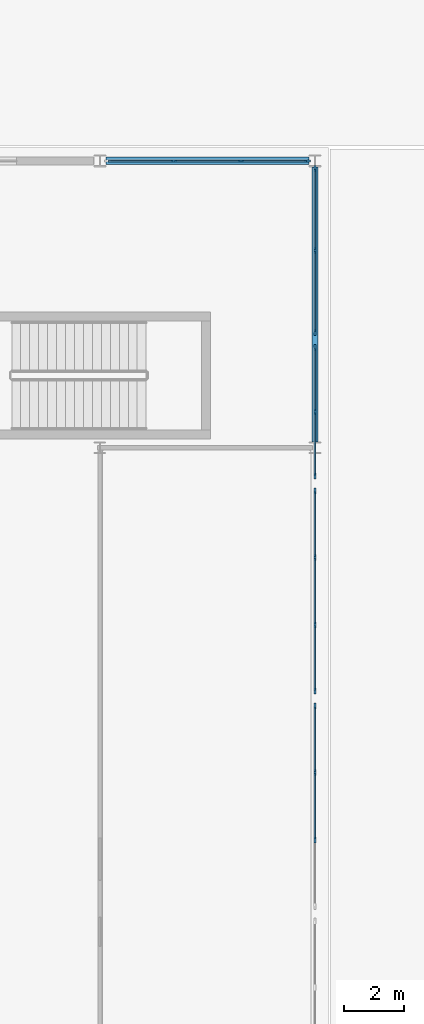
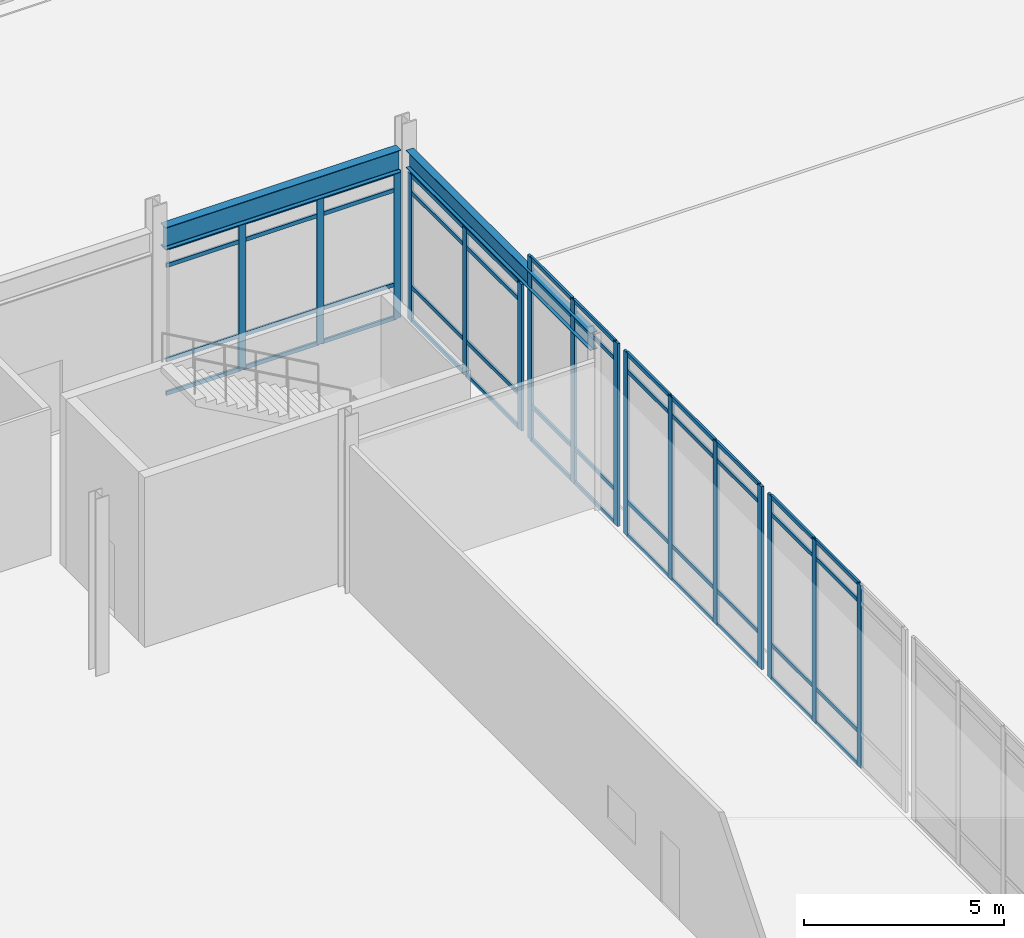
# One storey, part 27 of 104: 64 members, 2 beams, 5 elements without a shape of their own.
"""IFC4 building model written with IfcOpenShell, lengths in metres."""

import ifcopenshell
import ifcopenshell.guid

model = None  # the IFC model being written
_history = None  # IfcOwnerHistory: only IFC2X3 demands one
_inside = {}  # id of a spatial element -> (the spatial element, [elements in it])
_under = {}  # id of a project, library or spatial element -> (it, [spatial elements below it])
_declared = {}  # id of a project -> (the project, [libraries it declares])
_typed = {}  # id of a type object -> (the type object, [elements of that type])
_made_of = {}  # id of a material, layer set ... -> (it, [elements and type objects made of it])


def new_model(schema):
    """Start an empty IFC model of exactly this schema.

    Asked for "IFC4X3", IfcOpenShell would pick the latest addendum, in which some entities
    have other attributes; the version numbers below select the first issue.
    IFC2X3 requires an IfcOwnerHistory on every rooted entity: one is made here for all.
    """
    global model, _history
    if schema == "IFC4X3":
        model = ifcopenshell.file(schema_version=(4, 3, 0, 0))
    else:
        model = ifcopenshell.file(schema=schema)
    _inside.clear()
    _under.clear()
    _declared.clear()
    _typed.clear()
    _made_of.clear()
    _history = None
    if model.schema == "IFC2X3":
        org = make("IfcOrganization", Name="unknown")
        user = make(
            "IfcPersonAndOrganization",
            ThePerson=make("IfcPerson", FamilyName="unknown"),
            TheOrganization=org,
        )
        app = make(
            "IfcApplication",
            ApplicationDeveloper=org,
            Version="unknown",
            ApplicationFullName="unknown",
            ApplicationIdentifier="unknown",
        )
        _history = make(
            "IfcOwnerHistory",
            OwningUser=user,
            OwningApplication=app,
            ChangeAction="ADDED",
            CreationDate=0,
        )
    return model


def make(cls, **values):
    """One entity of the class cls with the attributes given. An attribute that is None is left unset."""
    return model.create_entity(
        cls, **{name: value for name, value in values.items() if value is not None}
    )


def rooted(cls, **values):
    """An entity with a GlobalId (a new one), such as an element, a storey or a relation."""
    return make(cls, GlobalId=ifcopenshell.guid.new(), OwnerHistory=_history, **values)


def si_unit(unit_type, name, prefix=None):
    """IfcSIUnit, for example si_unit("LENGTHUNIT", "METRE", prefix="MILLI")."""
    return make("IfcSIUnit", UnitType=unit_type, Prefix=prefix, Name=name)


def assignment(units):
    """IfcUnitAssignment: the units of a project."""
    return None if units is None else make("IfcUnitAssignment", Units=units)


def point(xyz):
    """IfcCartesianPoint."""
    return None if xyz is None else make("IfcCartesianPoint", Coordinates=xyz)


def direction(xyz):
    """IfcDirection."""
    return None if xyz is None else make("IfcDirection", DirectionRatios=xyz)


def frame(location, z_axis=None, x_axis=None):
    """IfcAxis2Placement3D, a coordinate frame: its origin and axes. An axis left out is left unset."""
    return make(
        "IfcAxis2Placement3D",
        Location=point(location),
        Axis=direction(z_axis),
        RefDirection=direction(x_axis),
    )


def frame_2d(location, x_axis=None):
    """IfcAxis2Placement2D, a coordinate frame in the plane: its origin and x axis."""
    return make(
        "IfcAxis2Placement2D", Location=point(location), RefDirection=direction(x_axis)
    )


def origin():
    """The frame at (0, 0, 0) with its axes left unset."""
    return frame((0.0, 0.0, 0.0))


def origin_2d():
    """The frame at (0, 0) in the plane with its x axis left unset."""
    return frame_2d((0.0, 0.0))


def place(relative_to, where):
    """IfcLocalPlacement: puts the frame where relative to a parent placement (None: the world)."""
    return make(
        "IfcLocalPlacement", PlacementRelTo=relative_to, RelativePlacement=where
    )


def context(
    kind, dimensions, precision=None, world=None, true_north=None, identifier=None
):
    """IfcGeometricRepresentationContext, for example the 3D "Model" context."""
    return make(
        "IfcGeometricRepresentationContext",
        ContextIdentifier=identifier,
        ContextType=kind,
        CoordinateSpaceDimension=dimensions,
        Precision=precision,
        WorldCoordinateSystem=world,
        TrueNorth=true_north,
    )


def subcontext(parent, identifier, kind, view, scale=None):
    """IfcGeometricRepresentationSubContext, for example "Body" below "Model"."""
    return make(
        "IfcGeometricRepresentationSubContext",
        ContextIdentifier=identifier,
        ContextType=kind,
        ParentContext=parent,
        TargetScale=scale,
        TargetView=view,
    )


def project(units=None, contexts=None):
    """IfcProject with its units and contexts."""
    return rooted(
        "IfcProject",
        Name="project",
        RepresentationContexts=contexts,
        UnitsInContext=assignment(units),
    )


def spatial(cls, under=None, at=None, **own):
    """A site, building, storey or space (cls), placed at a placement, below another one or the project."""
    s = rooted(cls, ObjectPlacement=at, **own)
    if under is not None:
        _under.setdefault(under.id(), (under, []))[1].append(s)
    return s


def profile(cls, at=None, kind="AREA", **sizes):
    """A parametric profile (cls). Its sizes go by their IFC names, for example OverallWidth=200.0."""
    return make(cls, ProfileType=kind, Position=at, **sizes)


def rectangle(**sizes):
    """IfcRectangleProfileDef."""
    return profile("IfcRectangleProfileDef", **sizes)


def i_section(**sizes):
    """IfcIShapeProfileDef."""
    return profile("IfcIShapeProfileDef", **sizes)


def extrude(swept, where, along, depth):
    """IfcExtrudedAreaSolid: the profile swept, set in the frame where, extruded along a direction by depth."""
    return make(
        "IfcExtrudedAreaSolid",
        SweptArea=swept,
        Position=where,
        ExtrudedDirection=direction(along),
        Depth=depth,
    )


def shape(context_of_items, identifier, shape_type, items):
    """IfcShapeRepresentation: the items that make up one representation, for example the "Body"."""
    return make(
        "IfcShapeRepresentation",
        ContextOfItems=context_of_items,
        RepresentationIdentifier=identifier,
        RepresentationType=shape_type,
        Items=items,
    )


def material(Name=None, Category=None):
    """IfcMaterial."""
    return make("IfcMaterial", Name=Name, Category=Category)


def material_profile(
    of_material, cross_section, Name=None, Category=None, Priority=None
):
    """IfcMaterialProfile: a cross section and its material."""
    return make(
        "IfcMaterialProfile",
        Name=Name,
        Material=of_material,
        Profile=cross_section,
        Priority=Priority,
        Category=Category,
    )


def profile_set(profiles, Name=None, composite=None):
    """IfcMaterialProfileSet."""
    return make(
        "IfcMaterialProfileSet",
        Name=Name,
        MaterialProfiles=profiles,
        CompositeProfile=composite,
    )


def made_of(thing, what):
    """Note that an element or type object is made of a material, layer set ...; save() writes the relation."""
    if what is not None:
        _made_of.setdefault(what.id(), (what, []))[1].append(thing)
    return thing


def type_object(cls, material=None, **own):
    """A type object (cls), such as IfcWallType, which elements share."""
    return made_of(rooted(cls, **own), material)


def element(
    cls,
    number,
    at=None,
    inside=None,
    cuts=None,
    type_object=None,
    material=None,
    context=None,
    identifier="Body",
    shape_type=None,
    held_by="IfcProductDefinitionShape",
    body=None,
    shapes=None,
    **own,
):
    """One element of the class cls, such as IfcWall. Its Tag is "e" and its number.

    at: its placement. inside: the storey or other place that contains it. cuts: it is an
    opening in that element (IfcRelVoidsElement). A single representation is given by context,
    identifier, shape_type and body (its items); several are given by shapes. held_by: the class
    of the entity that holds the representations. save() writes the other relations.
    """
    e = rooted(cls, Tag="e%d" % number, ObjectPlacement=at, **own)
    if body is not None:
        shapes = [shape(context, identifier, shape_type, body)]
    if shapes is not None:
        e.Representation = make(held_by, Representations=shapes)
    if inside is not None:
        _inside.setdefault(inside.id(), (inside, []))[1].append(e)
    if cuts is not None:
        rooted(
            "IfcRelVoidsElement", RelatingBuildingElement=cuts, RelatedOpeningElement=e
        )
    if type_object is not None:
        _typed.setdefault(type_object.id(), (type_object, []))[1].append(e)
    return made_of(e, material)


def aggregate(whole, parts):
    """IfcRelAggregates: a whole, such as a stair, and the parts it consists of."""
    return rooted("IfcRelAggregates", RelatingObject=whole, RelatedObjects=parts)


def save(model, path):
    """Write the relations noted so far, then the file.

    IfcRelAggregates (storeys below a building ...), IfcRelContainedInSpatialStructure (elements
    in a storey), IfcRelDefinesByType, IfcRelAssociatesMaterial and IfcRelDeclares: one each for
    every whole, place, type object, material and project.
    """
    for whole, parts in _under.values():
        aggregate(whole, parts)
    for where, things in _inside.values():
        rooted(
            "IfcRelContainedInSpatialStructure",
            RelatedElements=things,
            RelatingStructure=where,
        )
    for kind, things in _typed.values():
        rooted("IfcRelDefinesByType", RelatedObjects=things, RelatingType=kind)
    for what, things in _made_of.values():
        rooted("IfcRelAssociatesMaterial", RelatedObjects=things, RelatingMaterial=what)
    for by, libraries in _declared.values():
        rooted("IfcRelDeclares", RelatingContext=by, RelatedDefinitions=libraries)
    model.write(path)


model = new_model("IFC4")

# Units and contexts
model_context = context("Model", 3, precision=1e-05, world=origin(), true_north=direction((0.0, 1.0)))
body_context = subcontext(model_context, "Body", "Model", "MODEL_VIEW")
ifc_project = project(units=[si_unit("LENGTHUNIT", "METRE"), si_unit("AREAUNIT", "SQUARE_METRE"), si_unit("VOLUMEUNIT", "CUBIC_METRE"), si_unit("PLANEANGLEUNIT", "RADIAN"), si_unit("MASSUNIT", "GRAM", prefix="KILO")], contexts=[model_context])

# Site, building, storey
site_placement = place(None, origin())
site = spatial("IfcSite", under=ifc_project, at=site_placement, CompositionType="ELEMENT")
building_placement = place(site_placement, origin())
building = spatial("IfcBuilding", under=site, at=building_placement, Name="Vaelcorin Mobility Hub", CompositionType="ELEMENT")
storey_placement = place(building_placement, origin())
storey = spatial("IfcBuildingStorey", under=building, at=storey_placement, Name="L00", CompositionType="ELEMENT", Elevation=0.0)

# Beams
ifc_material_1 = material(Name="Steel ASTM A992 Grade 50", Category="steel")
ifc_material_profile_1 = material_profile(ifc_material_1, i_section(OverallWidth=0.2099609375, OverallDepth=0.535888671875, WebThickness=0.010986328125, FlangeThickness=0.017333984375, FilletRadius=0.013916015625, at=origin_2d()), Name="W21X68")
ifc_profile_set_1 = profile_set([ifc_material_profile_1], Name="Steel ASTM A992 Grade 50")
beam_type_1 = type_object("IfcBeamType", Name="BM-W21X68", PredefinedType="SPANDREL", material=ifc_profile_set_1)
beam_1_placement = place(storey_placement, frame((108.0, 50.583984375, 4.912109375), z_axis=(0.0, 1.0, 0.0), x_axis=(-1.0, 0.0, 0.0)))
element("IfcBeam", 1, at=beam_1_placement, inside=storey, type_object=beam_type_1, Name="L00 Beam V1-L00-GY-11-01", PredefinedType="SPANDREL", context=body_context, shape_type="SweptSolid", body=[
    extrude(i_section(OverallWidth=0.2099609375, OverallDepth=0.535888671875, WebThickness=0.010986328125, FlangeThickness=0.017333984375, FilletRadius=0.013916015625, at=origin_2d()), origin(), (0.0, 0.0, 1.0), 9.215087890625),
])
ifc_material_profile_2 = material_profile(ifc_material_1, i_section(OverallWidth=0.25390625, OverallDepth=0.68310546875, WebThickness=0.012451171875, FlangeThickness=0.018798828125, FilletRadius=0.01611328125, at=origin_2d()), Name="W27X94")
ifc_profile_set_2 = profile_set([ifc_material_profile_2], Name="Steel ASTM A992 Grade 50")
beam_type_2 = type_object("IfcBeamType", Name="BM-W27X94", PredefinedType="BEAM", material=ifc_profile_set_2)
beam_2_placement = place(storey_placement, frame((101.0, 60.0, 4.837890625), z_axis=(1.0, 0.0, 0.0), x_axis=(0.0, 1.0, 0.0)))
element("IfcBeam", 2, at=beam_2_placement, inside=storey, type_object=beam_type_2, Name="L00 Beam V1-L00-GX-02-10", PredefinedType="BEAM", context=body_context, shape_type="SweptSolid", body=[
    extrude(i_section(OverallWidth=0.25390625, OverallDepth=0.68310546875, WebThickness=0.012451171875, FlangeThickness=0.018798828125, FilletRadius=0.01611328125, at=origin_2d()), origin(), (0.0, 0.0, 1.0), 6.800048828125),
])

# Curtain wall, members
ifc_material_2 = material(Name="Anodised aluminium 6063-T6", Category="aluminium")
curtain_wall_type = type_object("IfcCurtainWallType", Name="CW-CONC-B", PredefinedType="NOTDEFINED", material=ifc_material_2)
curtain_wall_1_placement = place(storey_placement, origin())
curtain_wall_1 = element("IfcCurtainWall", 3, at=curtain_wall_1_placement, inside=storey, type_object=curtain_wall_type, Name="L00 Curtain Wall CW-V1-N-10", PredefinedType="NOTDEFINED")
ifc_material_profile_3 = material_profile(ifc_material_2, rectangle(XDim=0.070068359375, YDim=0.199951171875, at=origin_2d()), Name="ALU-M70X200")
ifc_profile_set_3 = profile_set([ifc_material_profile_3], Name="Anodised aluminium 6063-T6")
member_type_1 = type_object("IfcMemberType", Name="CW-MULL-200", PredefinedType="MULLION", material=ifc_profile_set_3)
member_1_placement = place(storey_placement, frame((103.2734375, 60.0, 0.0), z_axis=(0.0, 0.0, 1.0), x_axis=(0.0, 1.0, 0.0)))
member_1 = element("IfcMember", 4, at=member_1_placement, type_object=member_type_1, Name="CW2 mullion 2", PredefinedType="MULLION", context=body_context, shape_type="SweptSolid", body=[
    extrude(rectangle(XDim=0.070068359375, YDim=0.199951171875, at=origin_2d()), origin(), (0.0, 0.0, 1.0), 4.48193359375),
])
member_2_placement = place(storey_placement, frame((105.526611328125, 60.0, 0.0), z_axis=(0.0, 0.0, 1.0), x_axis=(0.0, 1.0, 0.0)))
member_2 = element("IfcMember", 5, at=member_2_placement, type_object=member_type_1, Name="CW2 mullion 3", PredefinedType="MULLION", context=body_context, shape_type="SweptSolid", body=[
    extrude(rectangle(XDim=0.070068359375, YDim=0.199951171875, at=origin_2d()), origin(), (0.0, 0.0, 1.0), 4.48193359375),
])
member_3_placement = place(storey_placement, frame((107.75, 60.0, 0.0), z_axis=(0.0, 0.0, 1.0), x_axis=(0.0, 1.0, 0.0)))
member_3 = element("IfcMember", 6, at=member_3_placement, type_object=member_type_1, Name="CW2 mullion 4", PredefinedType="MULLION", context=body_context, shape_type="SweptSolid", body=[
    extrude(rectangle(XDim=0.070068359375, YDim=0.199951171875, at=origin_2d()), origin(), (0.0, 0.0, 1.0), 4.48193359375),
])

curtain_wall_2_placement = place(storey_placement, origin())
curtain_wall_2 = element("IfcCurtainWall", 7, at=curtain_wall_2_placement, inside=storey, type_object=curtain_wall_type, Name="L00 Curtain Wall CW-V1-E-05", PredefinedType="NOTDEFINED")
member_4_placement = place(storey_placement, frame((108.0, 41.75, 0.0), z_axis=(0.0, 0.0, 1.0), x_axis=(1.0, 0.0, 0.0)))
member_4 = element("IfcMember", 8, at=member_4_placement, type_object=member_type_1, Name="CW2 mullion 1", PredefinedType="MULLION", context=body_context, shape_type="SweptSolid", body=[
    extrude(rectangle(XDim=0.070068359375, YDim=0.199951171875, at=origin_2d()), origin(), (0.0, 0.0, 1.0), 5.580078125),
])
member_5_placement = place(storey_placement, frame((108.0, 39.526611328125, 0.0), z_axis=(0.0, 0.0, 1.0), x_axis=(1.0, 0.0, 0.0)))
member_5 = element("IfcMember", 9, at=member_5_placement, type_object=member_type_1, Name="CW2 mullion 2", PredefinedType="MULLION", context=body_context, shape_type="SweptSolid", body=[
    extrude(rectangle(XDim=0.070068359375, YDim=0.199951171875, at=origin_2d()), origin(), (0.0, 0.0, 1.0), 5.580078125),
])
member_6_placement = place(storey_placement, frame((108.0, 37.2734375, 0.0), z_axis=(0.0, 0.0, 1.0), x_axis=(1.0, 0.0, 0.0)))
member_6 = element("IfcMember", 10, at=member_6_placement, type_object=member_type_1, Name="CW2 mullion 3", PredefinedType="MULLION", context=body_context, shape_type="SweptSolid", body=[
    extrude(rectangle(XDim=0.070068359375, YDim=0.199951171875, at=origin_2d()), origin(), (0.0, 0.0, 1.0), 5.580078125),
])

curtain_wall_3_placement = place(storey_placement, origin())
curtain_wall_3 = element("IfcCurtainWall", 11, at=curtain_wall_3_placement, inside=storey, type_object=curtain_wall_type, Name="L00 Curtain Wall CW-V1-E-06", PredefinedType="NOTDEFINED")
member_7_placement = place(storey_placement, frame((108.0, 48.949951171875, 0.0), z_axis=(0.0, 0.0, 1.0), x_axis=(1.0, 0.0, 0.0)))
member_7 = element("IfcMember", 12, at=member_7_placement, type_object=member_type_1, Name="CW2 mullion 1", PredefinedType="MULLION", context=body_context, shape_type="SweptSolid", body=[
    extrude(rectangle(XDim=0.070068359375, YDim=0.199951171875, at=origin_2d()), origin(), (0.0, 0.0, 1.0), 5.580078125),
])
member_8_placement = place(storey_placement, frame((108.0, 46.7265625, 0.0), z_axis=(0.0, 0.0, 1.0), x_axis=(1.0, 0.0, 0.0)))
member_8 = element("IfcMember", 13, at=member_8_placement, type_object=member_type_1, Name="CW2 mullion 2", PredefinedType="MULLION", context=body_context, shape_type="SweptSolid", body=[
    extrude(rectangle(XDim=0.070068359375, YDim=0.199951171875, at=origin_2d()), origin(), (0.0, 0.0, 1.0), 5.580078125),
])
member_9_placement = place(storey_placement, frame((108.0, 44.473388671875, 0.0), z_axis=(0.0, 0.0, 1.0), x_axis=(1.0, 0.0, 0.0)))
member_9 = element("IfcMember", 14, at=member_9_placement, type_object=member_type_1, Name="CW2 mullion 3", PredefinedType="MULLION", context=body_context, shape_type="SweptSolid", body=[
    extrude(rectangle(XDim=0.070068359375, YDim=0.199951171875, at=origin_2d()), origin(), (0.0, 0.0, 1.0), 5.580078125),
])
member_10_placement = place(storey_placement, frame((108.0, 42.25, 0.0), z_axis=(0.0, 0.0, 1.0), x_axis=(1.0, 0.0, 0.0)))
member_10 = element("IfcMember", 15, at=member_10_placement, type_object=member_type_1, Name="CW2 mullion 4", PredefinedType="MULLION", context=body_context, shape_type="SweptSolid", body=[
    extrude(rectangle(XDim=0.070068359375, YDim=0.199951171875, at=origin_2d()), origin(), (0.0, 0.0, 1.0), 5.580078125),
])

curtain_wall_4_placement = place(storey_placement, origin())
curtain_wall_4 = element("IfcCurtainWall", 16, at=curtain_wall_4_placement, inside=storey, type_object=curtain_wall_type, Name="L00 Curtain Wall CW-V1-E-07", PredefinedType="NOTDEFINED")
member_11_placement = place(storey_placement, frame((108.0, 53.75, 0.0), z_axis=(0.0, 0.0, 1.0), x_axis=(1.0, 0.0, 0.0)))
member_11 = element("IfcMember", 17, at=member_11_placement, type_object=member_type_1, Name="CW2 mullion 1", PredefinedType="MULLION", context=body_context, shape_type="SweptSolid", body=[
    extrude(rectangle(XDim=0.070068359375, YDim=0.199951171875, at=origin_2d()), origin(), (0.0, 0.0, 1.0), 5.580078125),
])
member_12_placement = place(storey_placement, frame((108.0, 51.60009765625, 0.0), z_axis=(0.0, 0.0, 1.0), x_axis=(1.0, 0.0, 0.0)))
member_12 = element("IfcMember", 18, at=member_12_placement, type_object=member_type_1, Name="CW2 mullion 2", PredefinedType="MULLION", context=body_context, shape_type="SweptSolid", body=[
    extrude(rectangle(XDim=0.070068359375, YDim=0.199951171875, at=origin_2d()), origin(), (0.0, 0.0, 1.0), 5.580078125),
])
member_13_placement = place(storey_placement, frame((108.0, 49.449951171875, 0.0), z_axis=(0.0, 0.0, 1.0), x_axis=(1.0, 0.0, 0.0)))
member_13 = element("IfcMember", 19, at=member_13_placement, type_object=member_type_1, Name="CW2 mullion 3", PredefinedType="MULLION", context=body_context, shape_type="SweptSolid", body=[
    extrude(rectangle(XDim=0.070068359375, YDim=0.199951171875, at=origin_2d()), origin(), (0.0, 0.0, 1.0), 5.580078125),
])

curtain_wall_5_placement = place(storey_placement, origin())
curtain_wall_5 = element("IfcCurtainWall", 20, at=curtain_wall_5_placement, inside=storey, type_object=curtain_wall_type, Name="L00 Curtain Wall CW-V1-E-08", PredefinedType="NOTDEFINED")
member_14_placement = place(storey_placement, frame((108.0, 59.75, 0.0), z_axis=(0.0, 0.0, 1.0), x_axis=(1.0, 0.0, 0.0)))
member_14 = element("IfcMember", 21, at=member_14_placement, type_object=member_type_1, Name="CW2 mullion 1", PredefinedType="MULLION", context=body_context, shape_type="SweptSolid", body=[
    extrude(rectangle(XDim=0.070068359375, YDim=0.199951171875, at=origin_2d()), origin(), (0.0, 0.0, 1.0), 4.48193359375),
])
member_15_placement = place(storey_placement, frame((108.0, 57.0, 0.0), z_axis=(0.0, 0.0, 1.0), x_axis=(1.0, 0.0, 0.0)))
member_15 = element("IfcMember", 22, at=member_15_placement, type_object=member_type_1, Name="CW2 mullion 2", PredefinedType="MULLION", context=body_context, shape_type="SweptSolid", body=[
    extrude(rectangle(XDim=0.070068359375, YDim=0.199951171875, at=origin_2d()), origin(), (0.0, 0.0, 1.0), 4.48193359375),
])
member_16_placement = place(storey_placement, frame((108.0, 54.25, 0.0), z_axis=(0.0, 0.0, 1.0), x_axis=(1.0, 0.0, 0.0)))
member_16 = element("IfcMember", 23, at=member_16_placement, type_object=member_type_1, Name="CW2 mullion 3", PredefinedType="MULLION", context=body_context, shape_type="SweptSolid", body=[
    extrude(rectangle(XDim=0.070068359375, YDim=0.199951171875, at=origin_2d()), origin(), (0.0, 0.0, 1.0), 4.48193359375),
])

# Member
ifc_material_profile_4 = material_profile(ifc_material_2, rectangle(XDim=0.06005859375, YDim=0.1201171875, at=origin_2d()), Name="ALU-T60X120")
ifc_profile_set_4 = profile_set([ifc_material_profile_4], Name="Anodised aluminium 6063-T6")
member_type_2 = type_object("IfcMemberType", Name="CW-TRAN-140", PredefinedType="USERDEFINED", material=ifc_profile_set_4)
member_17_placement = place(storey_placement, frame((101.080078125, 60.0, 0.030029296875), z_axis=(1.0, 0.0, 0.0), x_axis=(0.0, 1.0, 0.0)))
member_17 = element("IfcMember", 24, at=member_17_placement, type_object=member_type_2, Name="CW2 transom 1.1", ObjectType="TRANSOM", PredefinedType="USERDEFINED", context=body_context, shape_type="SweptSolid", body=[
    extrude(rectangle(XDim=0.06005859375, YDim=0.1201171875, at=origin_2d()), origin(), (0.0, 0.0, 1.0), 2.163330078125),
])

member_18_placement = place(storey_placement, frame((101.080078125, 60.0, 1.050048828125), z_axis=(1.0, 0.0, 0.0), x_axis=(0.0, 1.0, 0.0)))
member_18 = element("IfcMember", 25, at=member_18_placement, type_object=member_type_2, Name="CW2 transom 1.2", ObjectType="TRANSOM", PredefinedType="USERDEFINED", context=body_context, shape_type="SweptSolid", body=[
    extrude(rectangle(XDim=0.06005859375, YDim=0.1201171875, at=origin_2d()), origin(), (0.0, 0.0, 1.0), 2.163330078125),
])

member_19_placement = place(storey_placement, frame((101.080078125, 60.0, 3.931884765625), z_axis=(1.0, 0.0, 0.0), x_axis=(0.0, 1.0, 0.0)))
member_19 = element("IfcMember", 26, at=member_19_placement, type_object=member_type_2, Name="CW2 transom 1.3", ObjectType="TRANSOM", PredefinedType="USERDEFINED", context=body_context, shape_type="SweptSolid", body=[
    extrude(rectangle(XDim=0.06005859375, YDim=0.1201171875, at=origin_2d()), origin(), (0.0, 0.0, 1.0), 2.163330078125),
])

member_20_placement = place(storey_placement, frame((101.080078125, 60.0, 4.451904296875), z_axis=(1.0, 0.0, 0.0), x_axis=(0.0, 1.0, 0.0)))
member_20 = element("IfcMember", 27, at=member_20_placement, type_object=member_type_2, Name="CW2 transom 1.4", ObjectType="TRANSOM", PredefinedType="USERDEFINED", context=body_context, shape_type="SweptSolid", body=[
    extrude(rectangle(XDim=0.06005859375, YDim=0.1201171875, at=origin_2d()), origin(), (0.0, 0.0, 1.0), 2.163330078125),
])

member_21_placement = place(storey_placement, frame((103.30322265625, 60.0, 0.030029296875), z_axis=(1.0, 0.0, 0.0), x_axis=(0.0, 1.0, 0.0)))
member_21 = element("IfcMember", 28, at=member_21_placement, type_object=member_type_2, Name="CW2 transom 2.1", ObjectType="TRANSOM", PredefinedType="USERDEFINED", context=body_context, shape_type="SweptSolid", body=[
    extrude(rectangle(XDim=0.06005859375, YDim=0.1201171875, at=origin_2d()), origin(), (0.0, 0.0, 1.0), 2.193359375),
])

member_22_placement = place(storey_placement, frame((103.30322265625, 60.0, 1.050048828125), z_axis=(1.0, 0.0, 0.0), x_axis=(0.0, 1.0, 0.0)))
member_22 = element("IfcMember", 29, at=member_22_placement, type_object=member_type_2, Name="CW2 transom 2.2", ObjectType="TRANSOM", PredefinedType="USERDEFINED", context=body_context, shape_type="SweptSolid", body=[
    extrude(rectangle(XDim=0.06005859375, YDim=0.1201171875, at=origin_2d()), origin(), (0.0, 0.0, 1.0), 2.193359375),
])

member_23_placement = place(storey_placement, frame((103.30322265625, 60.0, 3.931884765625), z_axis=(1.0, 0.0, 0.0), x_axis=(0.0, 1.0, 0.0)))
member_23 = element("IfcMember", 30, at=member_23_placement, type_object=member_type_2, Name="CW2 transom 2.3", ObjectType="TRANSOM", PredefinedType="USERDEFINED", context=body_context, shape_type="SweptSolid", body=[
    extrude(rectangle(XDim=0.06005859375, YDim=0.1201171875, at=origin_2d()), origin(), (0.0, 0.0, 1.0), 2.193359375),
])

member_24_placement = place(storey_placement, frame((103.30322265625, 60.0, 4.451904296875), z_axis=(1.0, 0.0, 0.0), x_axis=(0.0, 1.0, 0.0)))
member_24 = element("IfcMember", 31, at=member_24_placement, type_object=member_type_2, Name="CW2 transom 2.4", ObjectType="TRANSOM", PredefinedType="USERDEFINED", context=body_context, shape_type="SweptSolid", body=[
    extrude(rectangle(XDim=0.06005859375, YDim=0.1201171875, at=origin_2d()), origin(), (0.0, 0.0, 1.0), 2.193359375),
])

member_25_placement = place(storey_placement, frame((105.556640625, 60.0, 0.030029296875), z_axis=(1.0, 0.0, 0.0), x_axis=(0.0, 1.0, 0.0)))
member_25 = element("IfcMember", 32, at=member_25_placement, type_object=member_type_2, Name="CW2 transom 3.1", ObjectType="TRANSOM", PredefinedType="USERDEFINED", context=body_context, shape_type="SweptSolid", body=[
    extrude(rectangle(XDim=0.06005859375, YDim=0.1201171875, at=origin_2d()), origin(), (0.0, 0.0, 1.0), 2.163330078125),
])

member_26_placement = place(storey_placement, frame((105.556640625, 60.0, 1.050048828125), z_axis=(1.0, 0.0, 0.0), x_axis=(0.0, 1.0, 0.0)))
member_26 = element("IfcMember", 33, at=member_26_placement, type_object=member_type_2, Name="CW2 transom 3.2", ObjectType="TRANSOM", PredefinedType="USERDEFINED", context=body_context, shape_type="SweptSolid", body=[
    extrude(rectangle(XDim=0.06005859375, YDim=0.1201171875, at=origin_2d()), origin(), (0.0, 0.0, 1.0), 2.163330078125),
])

member_27_placement = place(storey_placement, frame((105.556640625, 60.0, 3.931884765625), z_axis=(1.0, 0.0, 0.0), x_axis=(0.0, 1.0, 0.0)))
member_27 = element("IfcMember", 34, at=member_27_placement, type_object=member_type_2, Name="CW2 transom 3.3", ObjectType="TRANSOM", PredefinedType="USERDEFINED", context=body_context, shape_type="SweptSolid", body=[
    extrude(rectangle(XDim=0.06005859375, YDim=0.1201171875, at=origin_2d()), origin(), (0.0, 0.0, 1.0), 2.163330078125),
])

member_28_placement = place(storey_placement, frame((105.556640625, 60.0, 4.451904296875), z_axis=(1.0, 0.0, 0.0), x_axis=(0.0, 1.0, 0.0)))
member_28 = element("IfcMember", 35, at=member_28_placement, type_object=member_type_2, Name="CW2 transom 3.4", ObjectType="TRANSOM", PredefinedType="USERDEFINED", context=body_context, shape_type="SweptSolid", body=[
    extrude(rectangle(XDim=0.06005859375, YDim=0.1201171875, at=origin_2d()), origin(), (0.0, 0.0, 1.0), 2.163330078125),
])

aggregate(curtain_wall_1, [member_1, member_2, member_3, member_17, member_18, member_19, member_20, member_21, member_22, member_23, member_24, member_25, member_26, member_27, member_28])

member_29_placement = place(storey_placement, frame((108.0, 41.719970703125, 0.030029296875), z_axis=(0.0, -1.0, 0.0), x_axis=(1.0, 0.0, 0.0)))
member_29 = element("IfcMember", 36, at=member_29_placement, type_object=member_type_2, Name="CW2 transom 1.1", ObjectType="TRANSOM", PredefinedType="USERDEFINED", context=body_context, shape_type="SweptSolid", body=[
    extrude(rectangle(XDim=0.06005859375, YDim=0.1201171875, at=origin_2d()), origin(), (0.0, 0.0, 1.0), 2.163330078125),
])

member_30_placement = place(storey_placement, frame((108.0, 41.719970703125, 1.050048828125), z_axis=(0.0, -1.0, 0.0), x_axis=(1.0, 0.0, 0.0)))
member_30 = element("IfcMember", 37, at=member_30_placement, type_object=member_type_2, Name="CW2 transom 1.2", ObjectType="TRANSOM", PredefinedType="USERDEFINED", context=body_context, shape_type="SweptSolid", body=[
    extrude(rectangle(XDim=0.06005859375, YDim=0.1201171875, at=origin_2d()), origin(), (0.0, 0.0, 1.0), 2.163330078125),
])

member_31_placement = place(storey_placement, frame((108.0, 41.719970703125, 5.030029296875), z_axis=(0.0, -1.0, 0.0), x_axis=(1.0, 0.0, 0.0)))
member_31 = element("IfcMember", 38, at=member_31_placement, type_object=member_type_2, Name="CW2 transom 1.3", ObjectType="TRANSOM", PredefinedType="USERDEFINED", context=body_context, shape_type="SweptSolid", body=[
    extrude(rectangle(XDim=0.06005859375, YDim=0.1201171875, at=origin_2d()), origin(), (0.0, 0.0, 1.0), 2.163330078125),
])

member_32_placement = place(storey_placement, frame((108.0, 41.719970703125, 5.550048828125), z_axis=(0.0, -1.0, 0.0), x_axis=(1.0, 0.0, 0.0)))
member_32 = element("IfcMember", 39, at=member_32_placement, type_object=member_type_2, Name="CW2 transom 1.4", ObjectType="TRANSOM", PredefinedType="USERDEFINED", context=body_context, shape_type="SweptSolid", body=[
    extrude(rectangle(XDim=0.06005859375, YDim=0.1201171875, at=origin_2d()), origin(), (0.0, 0.0, 1.0), 2.163330078125),
])

member_33_placement = place(storey_placement, frame((108.0, 39.49658203125, 0.030029296875), z_axis=(0.0, -1.0, 0.0), x_axis=(1.0, 0.0, 0.0)))
member_33 = element("IfcMember", 40, at=member_33_placement, type_object=member_type_2, Name="CW2 transom 2.1", ObjectType="TRANSOM", PredefinedType="USERDEFINED", context=body_context, shape_type="SweptSolid", body=[
    extrude(rectangle(XDim=0.06005859375, YDim=0.1201171875, at=origin_2d()), origin(), (0.0, 0.0, 1.0), 2.193359375),
])

member_34_placement = place(storey_placement, frame((108.0, 39.49658203125, 1.050048828125), z_axis=(0.0, -1.0, 0.0), x_axis=(1.0, 0.0, 0.0)))
member_34 = element("IfcMember", 41, at=member_34_placement, type_object=member_type_2, Name="CW2 transom 2.2", ObjectType="TRANSOM", PredefinedType="USERDEFINED", context=body_context, shape_type="SweptSolid", body=[
    extrude(rectangle(XDim=0.06005859375, YDim=0.1201171875, at=origin_2d()), origin(), (0.0, 0.0, 1.0), 2.193359375),
])

member_35_placement = place(storey_placement, frame((108.0, 39.49658203125, 5.030029296875), z_axis=(0.0, -1.0, 0.0), x_axis=(1.0, 0.0, 0.0)))
member_35 = element("IfcMember", 42, at=member_35_placement, type_object=member_type_2, Name="CW2 transom 2.3", ObjectType="TRANSOM", PredefinedType="USERDEFINED", context=body_context, shape_type="SweptSolid", body=[
    extrude(rectangle(XDim=0.06005859375, YDim=0.1201171875, at=origin_2d()), origin(), (0.0, 0.0, 1.0), 2.193359375),
])

member_36_placement = place(storey_placement, frame((108.0, 39.49658203125, 5.550048828125), z_axis=(0.0, -1.0, 0.0), x_axis=(1.0, 0.0, 0.0)))
member_36 = element("IfcMember", 43, at=member_36_placement, type_object=member_type_2, Name="CW2 transom 2.4", ObjectType="TRANSOM", PredefinedType="USERDEFINED", context=body_context, shape_type="SweptSolid", body=[
    extrude(rectangle(XDim=0.06005859375, YDim=0.1201171875, at=origin_2d()), origin(), (0.0, 0.0, 1.0), 2.193359375),
])

aggregate(curtain_wall_2, [member_4, member_5, member_6, member_29, member_30, member_31, member_32, member_33, member_34, member_35, member_36])

member_37_placement = place(storey_placement, frame((108.0, 48.919921875, 0.030029296875), z_axis=(0.0, -1.0, 0.0), x_axis=(1.0, 0.0, 0.0)))
member_37 = element("IfcMember", 44, at=member_37_placement, type_object=member_type_2, Name="CW2 transom 1.1", ObjectType="TRANSOM", PredefinedType="USERDEFINED", context=body_context, shape_type="SweptSolid", body=[
    extrude(rectangle(XDim=0.06005859375, YDim=0.1201171875, at=origin_2d()), origin(), (0.0, 0.0, 1.0), 2.163330078125),
])

member_38_placement = place(storey_placement, frame((108.0, 48.919921875, 1.050048828125), z_axis=(0.0, -1.0, 0.0), x_axis=(1.0, 0.0, 0.0)))
member_38 = element("IfcMember", 45, at=member_38_placement, type_object=member_type_2, Name="CW2 transom 1.2", ObjectType="TRANSOM", PredefinedType="USERDEFINED", context=body_context, shape_type="SweptSolid", body=[
    extrude(rectangle(XDim=0.06005859375, YDim=0.1201171875, at=origin_2d()), origin(), (0.0, 0.0, 1.0), 2.163330078125),
])

member_39_placement = place(storey_placement, frame((108.0, 48.919921875, 5.030029296875), z_axis=(0.0, -1.0, 0.0), x_axis=(1.0, 0.0, 0.0)))
member_39 = element("IfcMember", 46, at=member_39_placement, type_object=member_type_2, Name="CW2 transom 1.3", ObjectType="TRANSOM", PredefinedType="USERDEFINED", context=body_context, shape_type="SweptSolid", body=[
    extrude(rectangle(XDim=0.06005859375, YDim=0.1201171875, at=origin_2d()), origin(), (0.0, 0.0, 1.0), 2.163330078125),
])

member_40_placement = place(storey_placement, frame((108.0, 48.919921875, 5.550048828125), z_axis=(0.0, -1.0, 0.0), x_axis=(1.0, 0.0, 0.0)))
member_40 = element("IfcMember", 47, at=member_40_placement, type_object=member_type_2, Name="CW2 transom 1.4", ObjectType="TRANSOM", PredefinedType="USERDEFINED", context=body_context, shape_type="SweptSolid", body=[
    extrude(rectangle(XDim=0.06005859375, YDim=0.1201171875, at=origin_2d()), origin(), (0.0, 0.0, 1.0), 2.163330078125),
])

member_41_placement = place(storey_placement, frame((108.0, 46.69677734375, 0.030029296875), z_axis=(0.0, -1.0, 0.0), x_axis=(1.0, 0.0, 0.0)))
member_41 = element("IfcMember", 48, at=member_41_placement, type_object=member_type_2, Name="CW2 transom 2.1", ObjectType="TRANSOM", PredefinedType="USERDEFINED", context=body_context, shape_type="SweptSolid", body=[
    extrude(rectangle(XDim=0.06005859375, YDim=0.1201171875, at=origin_2d()), origin(), (0.0, 0.0, 1.0), 2.193359375),
])

member_42_placement = place(storey_placement, frame((108.0, 46.69677734375, 1.050048828125), z_axis=(0.0, -1.0, 0.0), x_axis=(1.0, 0.0, 0.0)))
member_42 = element("IfcMember", 49, at=member_42_placement, type_object=member_type_2, Name="CW2 transom 2.2", ObjectType="TRANSOM", PredefinedType="USERDEFINED", context=body_context, shape_type="SweptSolid", body=[
    extrude(rectangle(XDim=0.06005859375, YDim=0.1201171875, at=origin_2d()), origin(), (0.0, 0.0, 1.0), 2.193359375),
])

member_43_placement = place(storey_placement, frame((108.0, 46.69677734375, 5.030029296875), z_axis=(0.0, -1.0, 0.0), x_axis=(1.0, 0.0, 0.0)))
member_43 = element("IfcMember", 50, at=member_43_placement, type_object=member_type_2, Name="CW2 transom 2.3", ObjectType="TRANSOM", PredefinedType="USERDEFINED", context=body_context, shape_type="SweptSolid", body=[
    extrude(rectangle(XDim=0.06005859375, YDim=0.1201171875, at=origin_2d()), origin(), (0.0, 0.0, 1.0), 2.193359375),
])

member_44_placement = place(storey_placement, frame((108.0, 46.69677734375, 5.550048828125), z_axis=(0.0, -1.0, 0.0), x_axis=(1.0, 0.0, 0.0)))
member_44 = element("IfcMember", 51, at=member_44_placement, type_object=member_type_2, Name="CW2 transom 2.4", ObjectType="TRANSOM", PredefinedType="USERDEFINED", context=body_context, shape_type="SweptSolid", body=[
    extrude(rectangle(XDim=0.06005859375, YDim=0.1201171875, at=origin_2d()), origin(), (0.0, 0.0, 1.0), 2.193359375),
])

member_45_placement = place(storey_placement, frame((108.0, 44.443359375, 0.030029296875), z_axis=(0.0, -1.0, 0.0), x_axis=(1.0, 0.0, 0.0)))
member_45 = element("IfcMember", 52, at=member_45_placement, type_object=member_type_2, Name="CW2 transom 3.1", ObjectType="TRANSOM", PredefinedType="USERDEFINED", context=body_context, shape_type="SweptSolid", body=[
    extrude(rectangle(XDim=0.06005859375, YDim=0.1201171875, at=origin_2d()), origin(), (0.0, 0.0, 1.0), 2.163330078125),
])

member_46_placement = place(storey_placement, frame((108.0, 44.443359375, 1.050048828125), z_axis=(0.0, -1.0, 0.0), x_axis=(1.0, 0.0, 0.0)))
member_46 = element("IfcMember", 53, at=member_46_placement, type_object=member_type_2, Name="CW2 transom 3.2", ObjectType="TRANSOM", PredefinedType="USERDEFINED", context=body_context, shape_type="SweptSolid", body=[
    extrude(rectangle(XDim=0.06005859375, YDim=0.1201171875, at=origin_2d()), origin(), (0.0, 0.0, 1.0), 2.163330078125),
])

member_47_placement = place(storey_placement, frame((108.0, 44.443359375, 5.030029296875), z_axis=(0.0, -1.0, 0.0), x_axis=(1.0, 0.0, 0.0)))
member_47 = element("IfcMember", 54, at=member_47_placement, type_object=member_type_2, Name="CW2 transom 3.3", ObjectType="TRANSOM", PredefinedType="USERDEFINED", context=body_context, shape_type="SweptSolid", body=[
    extrude(rectangle(XDim=0.06005859375, YDim=0.1201171875, at=origin_2d()), origin(), (0.0, 0.0, 1.0), 2.163330078125),
])

member_48_placement = place(storey_placement, frame((108.0, 44.443359375, 5.550048828125), z_axis=(0.0, -1.0, 0.0), x_axis=(1.0, 0.0, 0.0)))
member_48 = element("IfcMember", 55, at=member_48_placement, type_object=member_type_2, Name="CW2 transom 3.4", ObjectType="TRANSOM", PredefinedType="USERDEFINED", context=body_context, shape_type="SweptSolid", body=[
    extrude(rectangle(XDim=0.06005859375, YDim=0.1201171875, at=origin_2d()), origin(), (0.0, 0.0, 1.0), 2.163330078125),
])

aggregate(curtain_wall_3, [member_7, member_8, member_9, member_10, member_37, member_38, member_39, member_40, member_41, member_42, member_43, member_44, member_45, member_46, member_47, member_48])

member_49_placement = place(storey_placement, frame((108.0, 53.719970703125, 0.030029296875), z_axis=(0.0, -1.0, 0.0), x_axis=(1.0, 0.0, 0.0)))
member_49 = element("IfcMember", 56, at=member_49_placement, type_object=member_type_2, Name="CW2 transom 1.1", ObjectType="TRANSOM", PredefinedType="USERDEFINED", context=body_context, shape_type="SweptSolid", body=[
    extrude(rectangle(XDim=0.06005859375, YDim=0.1201171875, at=origin_2d()), origin(), (0.0, 0.0, 1.0), 2.090087890625),
])

member_50_placement = place(storey_placement, frame((108.0, 53.719970703125, 1.050048828125), z_axis=(0.0, -1.0, 0.0), x_axis=(1.0, 0.0, 0.0)))
member_50 = element("IfcMember", 57, at=member_50_placement, type_object=member_type_2, Name="CW2 transom 1.2", ObjectType="TRANSOM", PredefinedType="USERDEFINED", context=body_context, shape_type="SweptSolid", body=[
    extrude(rectangle(XDim=0.06005859375, YDim=0.1201171875, at=origin_2d()), origin(), (0.0, 0.0, 1.0), 2.090087890625),
])

member_51_placement = place(storey_placement, frame((108.0, 53.719970703125, 5.030029296875), z_axis=(0.0, -1.0, 0.0), x_axis=(1.0, 0.0, 0.0)))
member_51 = element("IfcMember", 58, at=member_51_placement, type_object=member_type_2, Name="CW2 transom 1.3", ObjectType="TRANSOM", PredefinedType="USERDEFINED", context=body_context, shape_type="SweptSolid", body=[
    extrude(rectangle(XDim=0.06005859375, YDim=0.1201171875, at=origin_2d()), origin(), (0.0, 0.0, 1.0), 2.090087890625),
])

member_52_placement = place(storey_placement, frame((108.0, 53.719970703125, 5.550048828125), z_axis=(0.0, -1.0, 0.0), x_axis=(1.0, 0.0, 0.0)))
member_52 = element("IfcMember", 59, at=member_52_placement, type_object=member_type_2, Name="CW2 transom 1.4", ObjectType="TRANSOM", PredefinedType="USERDEFINED", context=body_context, shape_type="SweptSolid", body=[
    extrude(rectangle(XDim=0.06005859375, YDim=0.1201171875, at=origin_2d()), origin(), (0.0, 0.0, 1.0), 2.090087890625),
])

member_53_placement = place(storey_placement, frame((108.0, 51.570068359375, 0.030029296875), z_axis=(0.0, -1.0, 0.0), x_axis=(1.0, 0.0, 0.0)))
member_53 = element("IfcMember", 60, at=member_53_placement, type_object=member_type_2, Name="CW2 transom 2.1", ObjectType="TRANSOM", PredefinedType="USERDEFINED", context=body_context, shape_type="SweptSolid", body=[
    extrude(rectangle(XDim=0.06005859375, YDim=0.1201171875, at=origin_2d()), origin(), (0.0, 0.0, 1.0), 2.090087890625),
])

member_54_placement = place(storey_placement, frame((108.0, 51.570068359375, 1.050048828125), z_axis=(0.0, -1.0, 0.0), x_axis=(1.0, 0.0, 0.0)))
member_54 = element("IfcMember", 61, at=member_54_placement, type_object=member_type_2, Name="CW2 transom 2.2", ObjectType="TRANSOM", PredefinedType="USERDEFINED", context=body_context, shape_type="SweptSolid", body=[
    extrude(rectangle(XDim=0.06005859375, YDim=0.1201171875, at=origin_2d()), origin(), (0.0, 0.0, 1.0), 2.090087890625),
])

member_55_placement = place(storey_placement, frame((108.0, 51.570068359375, 5.030029296875), z_axis=(0.0, -1.0, 0.0), x_axis=(1.0, 0.0, 0.0)))
member_55 = element("IfcMember", 62, at=member_55_placement, type_object=member_type_2, Name="CW2 transom 2.3", ObjectType="TRANSOM", PredefinedType="USERDEFINED", context=body_context, shape_type="SweptSolid", body=[
    extrude(rectangle(XDim=0.06005859375, YDim=0.1201171875, at=origin_2d()), origin(), (0.0, 0.0, 1.0), 2.090087890625),
])

member_56_placement = place(storey_placement, frame((108.0, 51.570068359375, 5.550048828125), z_axis=(0.0, -1.0, 0.0), x_axis=(1.0, 0.0, 0.0)))
member_56 = element("IfcMember", 63, at=member_56_placement, type_object=member_type_2, Name="CW2 transom 2.4", ObjectType="TRANSOM", PredefinedType="USERDEFINED", context=body_context, shape_type="SweptSolid", body=[
    extrude(rectangle(XDim=0.06005859375, YDim=0.1201171875, at=origin_2d()), origin(), (0.0, 0.0, 1.0), 2.090087890625),
])

aggregate(curtain_wall_4, [member_11, member_12, member_13, member_49, member_50, member_51, member_52, member_53, member_54, member_55, member_56])

member_57_placement = place(storey_placement, frame((108.0, 59.719970703125, 0.030029296875), z_axis=(0.0, -1.0, 0.0), x_axis=(1.0, 0.0, 0.0)))
member_57 = element("IfcMember", 64, at=member_57_placement, type_object=member_type_2, Name="CW2 transom 1.1", ObjectType="TRANSOM", PredefinedType="USERDEFINED", context=body_context, shape_type="SweptSolid", body=[
    extrude(rectangle(XDim=0.06005859375, YDim=0.1201171875, at=origin_2d()), origin(), (0.0, 0.0, 1.0), 2.68994140625),
])

member_58_placement = place(storey_placement, frame((108.0, 59.719970703125, 1.050048828125), z_axis=(0.0, -1.0, 0.0), x_axis=(1.0, 0.0, 0.0)))
member_58 = element("IfcMember", 65, at=member_58_placement, type_object=member_type_2, Name="CW2 transom 1.2", ObjectType="TRANSOM", PredefinedType="USERDEFINED", context=body_context, shape_type="SweptSolid", body=[
    extrude(rectangle(XDim=0.06005859375, YDim=0.1201171875, at=origin_2d()), origin(), (0.0, 0.0, 1.0), 2.68994140625),
])

member_59_placement = place(storey_placement, frame((108.0, 59.719970703125, 3.931884765625), z_axis=(0.0, -1.0, 0.0), x_axis=(1.0, 0.0, 0.0)))
member_59 = element("IfcMember", 66, at=member_59_placement, type_object=member_type_2, Name="CW2 transom 1.3", ObjectType="TRANSOM", PredefinedType="USERDEFINED", context=body_context, shape_type="SweptSolid", body=[
    extrude(rectangle(XDim=0.06005859375, YDim=0.1201171875, at=origin_2d()), origin(), (0.0, 0.0, 1.0), 2.68994140625),
])

member_60_placement = place(storey_placement, frame((108.0, 59.719970703125, 4.451904296875), z_axis=(0.0, -1.0, 0.0), x_axis=(1.0, 0.0, 0.0)))
member_60 = element("IfcMember", 67, at=member_60_placement, type_object=member_type_2, Name="CW2 transom 1.4", ObjectType="TRANSOM", PredefinedType="USERDEFINED", context=body_context, shape_type="SweptSolid", body=[
    extrude(rectangle(XDim=0.06005859375, YDim=0.1201171875, at=origin_2d()), origin(), (0.0, 0.0, 1.0), 2.68994140625),
])

member_61_placement = place(storey_placement, frame((108.0, 56.969970703125, 0.030029296875), z_axis=(0.0, -1.0, 0.0), x_axis=(1.0, 0.0, 0.0)))
member_61 = element("IfcMember", 68, at=member_61_placement, type_object=member_type_2, Name="CW2 transom 2.1", ObjectType="TRANSOM", PredefinedType="USERDEFINED", context=body_context, shape_type="SweptSolid", body=[
    extrude(rectangle(XDim=0.06005859375, YDim=0.1201171875, at=origin_2d()), origin(), (0.0, 0.0, 1.0), 2.68994140625),
])

member_62_placement = place(storey_placement, frame((108.0, 56.969970703125, 1.050048828125), z_axis=(0.0, -1.0, 0.0), x_axis=(1.0, 0.0, 0.0)))
member_62 = element("IfcMember", 69, at=member_62_placement, type_object=member_type_2, Name="CW2 transom 2.2", ObjectType="TRANSOM", PredefinedType="USERDEFINED", context=body_context, shape_type="SweptSolid", body=[
    extrude(rectangle(XDim=0.06005859375, YDim=0.1201171875, at=origin_2d()), origin(), (0.0, 0.0, 1.0), 2.68994140625),
])

member_63_placement = place(storey_placement, frame((108.0, 56.969970703125, 3.931884765625), z_axis=(0.0, -1.0, 0.0), x_axis=(1.0, 0.0, 0.0)))
member_63 = element("IfcMember", 70, at=member_63_placement, type_object=member_type_2, Name="CW2 transom 2.3", ObjectType="TRANSOM", PredefinedType="USERDEFINED", context=body_context, shape_type="SweptSolid", body=[
    extrude(rectangle(XDim=0.06005859375, YDim=0.1201171875, at=origin_2d()), origin(), (0.0, 0.0, 1.0), 2.68994140625),
])

member_64_placement = place(storey_placement, frame((108.0, 56.969970703125, 4.451904296875), z_axis=(0.0, -1.0, 0.0), x_axis=(1.0, 0.0, 0.0)))
member_64 = element("IfcMember", 71, at=member_64_placement, type_object=member_type_2, Name="CW2 transom 2.4", ObjectType="TRANSOM", PredefinedType="USERDEFINED", context=body_context, shape_type="SweptSolid", body=[
    extrude(rectangle(XDim=0.06005859375, YDim=0.1201171875, at=origin_2d()), origin(), (0.0, 0.0, 1.0), 2.68994140625),
])

aggregate(curtain_wall_5, [member_14, member_15, member_16, member_57, member_58, member_59, member_60, member_61, member_62, member_63, member_64])

save(model, "model.ifc")
